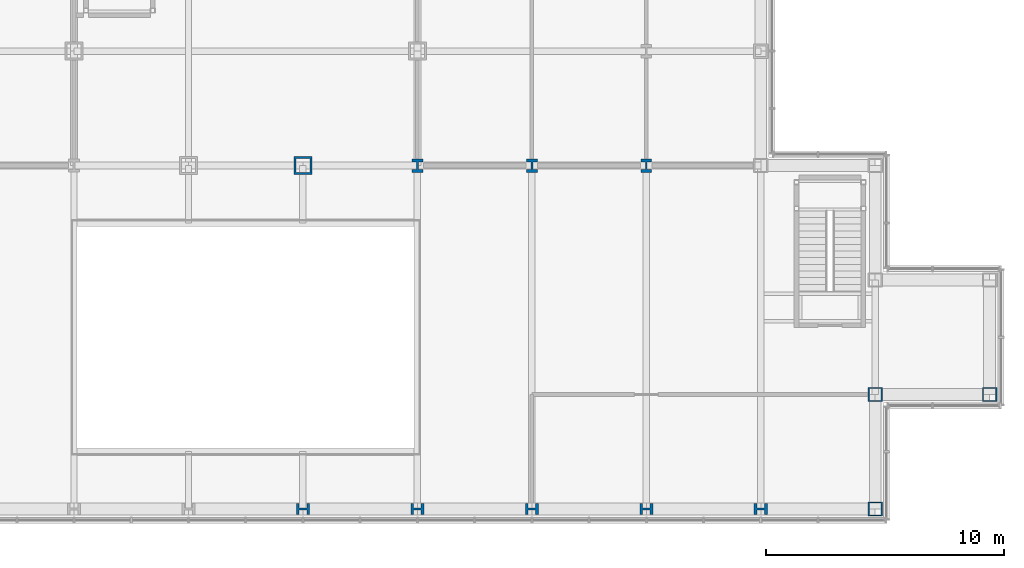
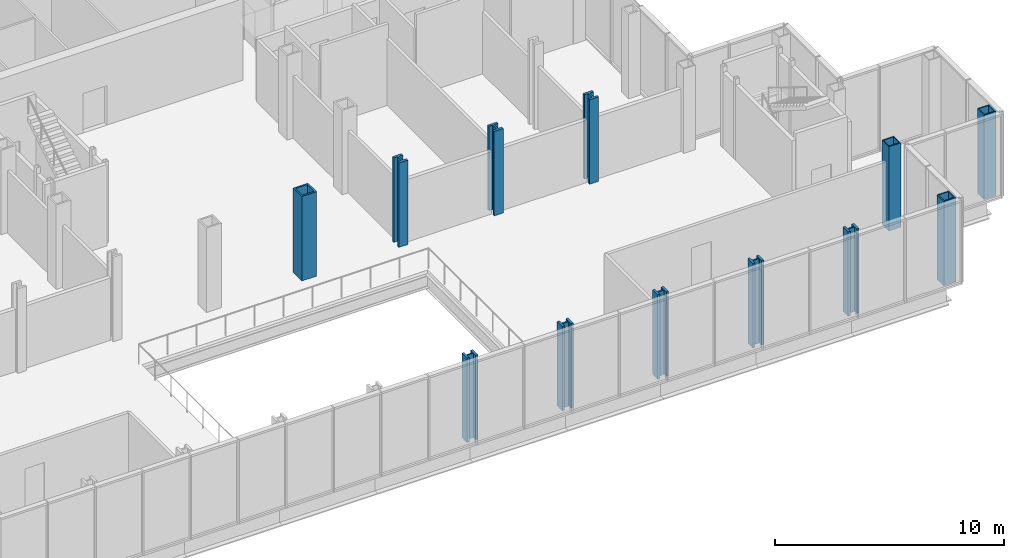
# One storey, part 4 of 26: 12 columns.
"""IFC4 building model written with IfcOpenShell, lengths in metres."""

from ifc_helpers import new_model, si_unit, direction, frame, origin, origin_2d, place, context, subcontext, project, spatial, hollow_rectangle, i_section, extrude, material, material_profile, profile_set, type_object, element, save


model = new_model("IFC4")

# Units and contexts
model_context = context("Model", 3, precision=1e-05, world=origin(), true_north=direction((0.0, 1.0)))
body_context = subcontext(model_context, "Body", "Model", "MODEL_VIEW")
ifc_project = project(units=[si_unit("LENGTHUNIT", "METRE"), si_unit("AREAUNIT", "SQUARE_METRE"), si_unit("VOLUMEUNIT", "CUBIC_METRE"), si_unit("PLANEANGLEUNIT", "RADIAN"), si_unit("MASSUNIT", "GRAM", prefix="KILO")], contexts=[model_context])

# Site, building, storey
site_placement = place(None, origin())
site = spatial("IfcSite", under=ifc_project, at=site_placement, CompositionType="ELEMENT")
building_placement = place(site_placement, origin())
building = spatial("IfcBuilding", under=site, at=building_placement, Name="Kvirike Care Tower", CompositionType="ELEMENT")
storey_placement = place(building_placement, frame((0.0, 0.0, 18.0)))
storey = spatial("IfcBuildingStorey", under=building, at=storey_placement, Name="L04", CompositionType="ELEMENT", Elevation=18.0)

# Columns
ifc_material_1 = material(Name="Steel S460", Category="steel")
ifc_material_profile_1 = material_profile(ifc_material_1, hollow_rectangle(XDim=0.60009765625, YDim=0.60009765625, WallThickness=0.050048828125, at=origin_2d()), Name="BX 600x600x50")
ifc_profile_set_1 = profile_set([ifc_material_profile_1], Name="Steel S460")
column_type_1 = type_object("IfcColumnType", Name="COLUMN BX 600x600x50", PredefinedType="COLUMN", material=ifc_profile_set_1)
for number, where, z_axis, x_axis, name in (
    (1, (48.0, 0.0, 0.0), (0.0, 0.0, 1.0), (0.0, 1.0, 0.0), "Column A13 L04"),
    (2, (48.0, 4.800048828125, 0.0), (0.0, 0.0, 1.0), (0.0, 1.0, 0.0), "Column B13 L04"),
    (3, (52.800048828125, 4.800048828125, 0.0), (0.0, 0.0, 1.0), (0.0, 1.0, 0.0), "Column B14 L04"),
):
    element("IfcColumn", number, at=place(storey_placement, frame(where, z_axis=z_axis, x_axis=x_axis)), inside=storey, type_object=column_type_1, Name=name, PredefinedType="COLUMN", context=body_context, shape_type="SweptSolid", body=[
        extrude(hollow_rectangle(XDim=0.60009765625, YDim=0.60009765625, WallThickness=0.050048828125, at=origin_2d()), origin(), (0.0, 0.0, 1.0), 4.5),
    ])
ifc_material_2 = material(Name="Steel S460", Category="steel")
ifc_material_profile_2 = material_profile(ifc_material_2, hollow_rectangle(XDim=0.75, YDim=0.75, WallThickness=0.080078125, at=origin_2d()), Name="BX 750x750x80")
ifc_profile_set_2 = profile_set([ifc_material_profile_2], Name="Steel S460")
column_type_2 = type_object("IfcColumnType", Name="COLUMN BX 750x750x80", PredefinedType="COLUMN", material=ifc_profile_set_2)
column_placement = place(storey_placement, frame((24.0, 14.39990234375, 0.0), z_axis=(0.0, 0.0, 1.0), x_axis=(1.0, 0.0, 0.0)))
element("IfcColumn", 4, at=column_placement, inside=storey, type_object=column_type_2, Name="Column D8 L04", PredefinedType="COLUMN", context=body_context, shape_type="SweptSolid", body=[
    extrude(hollow_rectangle(XDim=0.75, YDim=0.75, WallThickness=0.080078125, at=origin_2d()), origin(), (0.0, 0.0, 1.0), 4.5),
])
ifc_material_3 = material(Name="Steel S460", Category="steel")
ifc_material_profile_3 = material_profile(ifc_material_3, i_section(OverallWidth=0.4541015625, OverallDepth=0.569091796875, WebThickness=0.077880859375, FlangeThickness=0.125, FilletRadius=0.014892578125, at=origin_2d()), Name="HD 400x1086")
ifc_profile_set_3 = profile_set([ifc_material_profile_3], Name="Steel S460")
column_type_3 = type_object("IfcColumnType", Name="COLUMN HD 400x1086", PredefinedType="COLUMN", material=ifc_profile_set_3)
for number, where, z_axis, x_axis, name in (
    (5, (28.800048828125, 14.39990234375, 0.0), (0.0, 0.0, 1.0), (1.0, 0.0, 0.0), "Column D9 L04"),
    (6, (33.60009765625, 14.39990234375, 0.0), (0.0, 0.0, 1.0), (1.0, 0.0, 0.0), "Column D10 L04"),
    (7, (38.39990234375, 14.39990234375, 0.0), (0.0, 0.0, 1.0), (1.0, 0.0, 0.0), "Column D11 L04"),
):
    element("IfcColumn", number, at=place(storey_placement, frame(where, z_axis=z_axis, x_axis=x_axis)), inside=storey, type_object=column_type_3, Name=name, PredefinedType="COLUMN", context=body_context, shape_type="SweptSolid", body=[
        extrude(i_section(OverallWidth=0.4541015625, OverallDepth=0.569091796875, WebThickness=0.077880859375, FlangeThickness=0.125, FilletRadius=0.014892578125, at=origin_2d()), origin(), (0.0, 0.0, 1.0), 4.5),
    ])
ifc_material_4 = material(Name="Steel S460", Category="steel")
ifc_material_profile_4 = material_profile(ifc_material_4, i_section(OverallWidth=0.447998046875, OverallDepth=0.550048828125, WebThickness=0.072021484375, FlangeThickness=0.114990234375, FilletRadius=0.014892578125, at=origin_2d()), Name="HD 400x990")
ifc_profile_set_4 = profile_set([ifc_material_profile_4], Name="Steel S460")
column_type_4 = type_object("IfcColumnType", Name="COLUMN HD 400x990", PredefinedType="COLUMN", material=ifc_profile_set_4)
for number, where, z_axis, x_axis, name in (
    (8, (24.0, 0.0, 0.0), (0.0, 0.0, 1.0), (0.0, 1.0, 0.0), "Column A8 L04"),
    (9, (28.800048828125, 0.0, 0.0), (0.0, 0.0, 1.0), (0.0, 1.0, 0.0), "Column A9 L04"),
    (10, (33.60009765625, 0.0, 0.0), (0.0, 0.0, 1.0), (0.0, 1.0, 0.0), "Column A10 L04"),
    (11, (38.39990234375, 0.0, 0.0), (0.0, 0.0, 1.0), (0.0, 1.0, 0.0), "Column A11 L04"),
    (12, (43.199951171875, 0.0, 0.0), (0.0, 0.0, 1.0), (0.0, 1.0, 0.0), "Column A12 L04"),
):
    element("IfcColumn", number, at=place(storey_placement, frame(where, z_axis=z_axis, x_axis=x_axis)), inside=storey, type_object=column_type_4, Name=name, PredefinedType="COLUMN", context=body_context, shape_type="SweptSolid", body=[
        extrude(i_section(OverallWidth=0.447998046875, OverallDepth=0.550048828125, WebThickness=0.072021484375, FlangeThickness=0.114990234375, FilletRadius=0.014892578125, at=origin_2d()), origin(), (0.0, 0.0, 1.0), 4.5),
    ])

save(model, "model.ifc")
